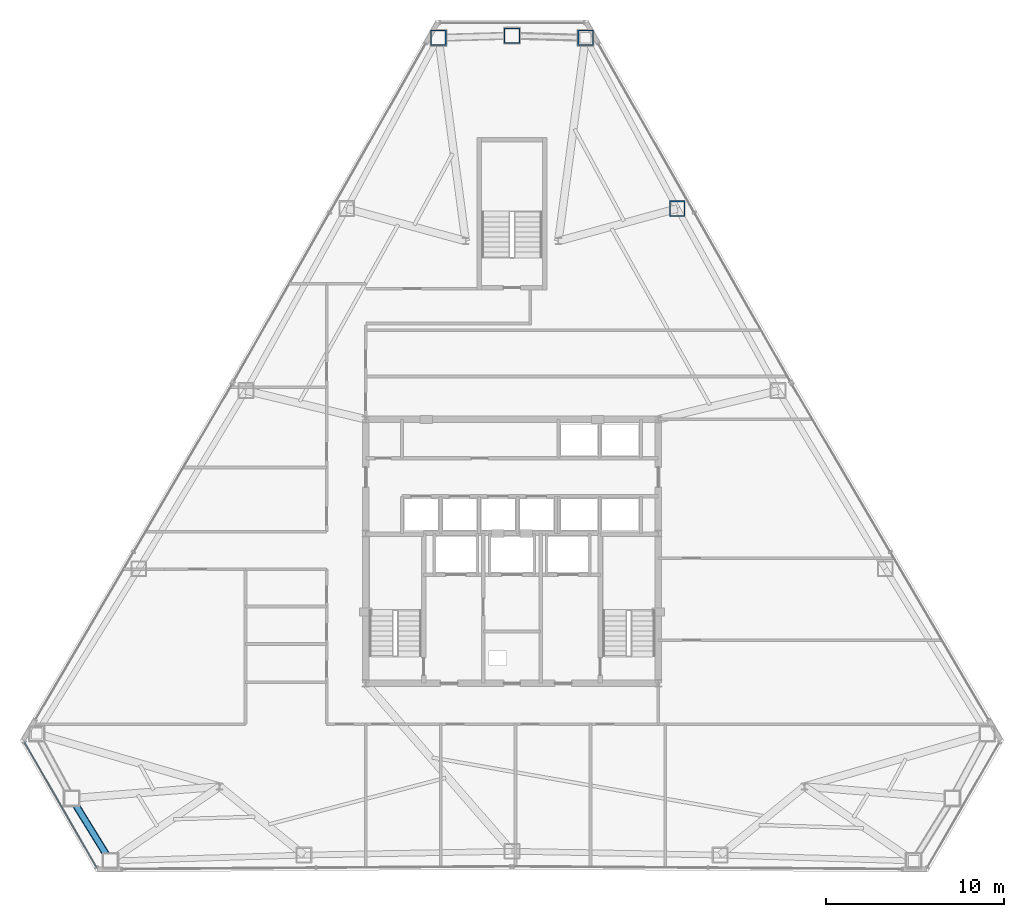
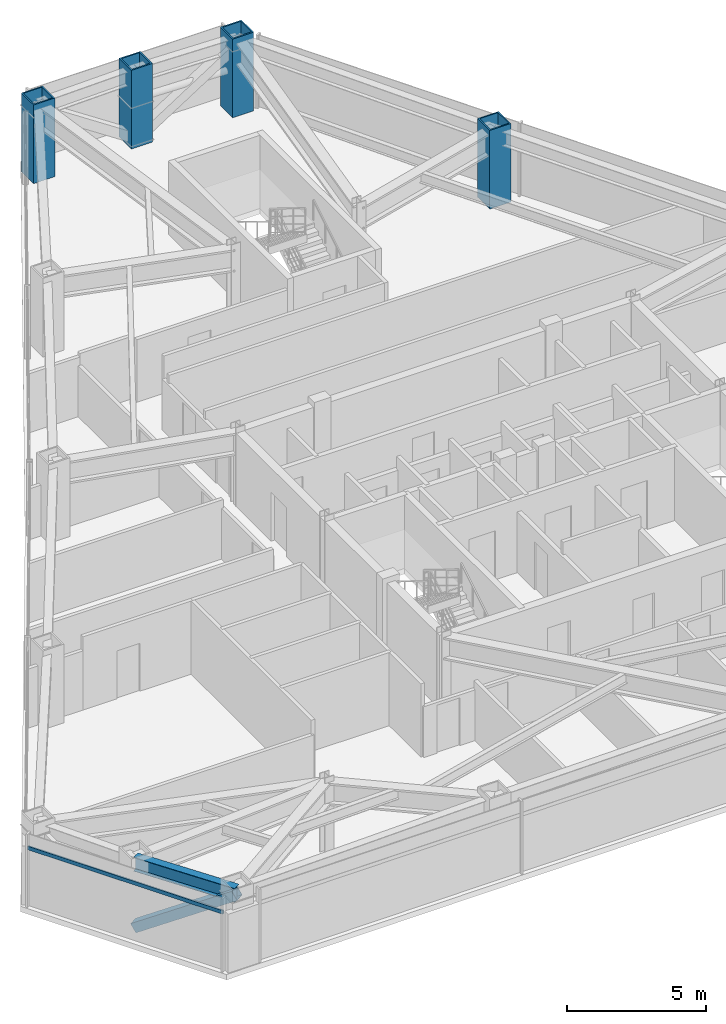
# One storey, part 3 of 13: 4 columns, 2 members, 1 beam, 1 element without a shape of its own.
"""IFC4 building model written with IfcOpenShell, lengths in metres."""

from ifc_helpers import new_model, si_unit, direction, frame, origin, origin_2d, place, context, subcontext, project, spatial, rectangle, hollow_rectangle, i_section, extrude, source, transform, mapped, material, layer, layer_set, material_profile, profile_set, type_object, type_shapes, element, aggregate, save


model = new_model("IFC4")

# Units and contexts
model_context = context("Model", 3, precision=1e-05, world=origin(), true_north=direction((0.0, 1.0)))
body_context = subcontext(model_context, "Body", "Model", "MODEL_VIEW")
ifc_project = project(units=[si_unit("LENGTHUNIT", "METRE"), si_unit("AREAUNIT", "SQUARE_METRE"), si_unit("VOLUMEUNIT", "CUBIC_METRE"), si_unit("PLANEANGLEUNIT", "RADIAN"), si_unit("MASSUNIT", "GRAM", prefix="KILO")], contexts=[model_context])

# Site, building, storey
site_placement = place(None, origin())
site = spatial("IfcSite", under=ifc_project, at=site_placement, CompositionType="ELEMENT")
building_placement = place(site_placement, origin())
building = spatial("IfcBuilding", under=site, at=building_placement, Name="Varakhsha Concourse Tower", CompositionType="ELEMENT")
storey_placement = place(building_placement, frame((0.0, 0.0, 136.699951171875)))
storey = spatial("IfcBuildingStorey", under=building, at=storey_placement, Name="L39", CompositionType="ELEMENT", Elevation=136.699951171875)

# Columns
ifc_material_1 = material(Name="Structural Steel ASTM A572 Grade 50", Category="steel")
ifc_material_profile_1 = material_profile(ifc_material_1, hollow_rectangle(XDim=0.8798828125, YDim=0.8798828125, WallThickness=0.06005859375, at=origin_2d()), Name="BOX 880x880x60")
ifc_profile_set_1 = profile_set([ifc_material_profile_1], Name="Structural Steel ASTM A572 Grade 50")
column_type = type_object("IfcColumnType", Name="CL-TUBE-880", PredefinedType="COLUMN", material=ifc_profile_set_1)
for number, where, z_axis, x_axis, name in (
    (1, (44.1259765625, 52.60009765625, 0.0), (0.0, 0.0, 1.0), (1.0, 0.0, 0.0), "L39 Framed-Tube Column TC01"),
    (2, (40.0, 52.7216796875, 0.0), (0.0, 0.0, 1.0), (1.0, 0.0, 0.0), "L39 Framed-Tube Column TC02"),
    (3, (35.8740234375, 52.60009765625, 0.0), (0.0, 0.0, 1.0), (1.0, 0.0, 0.0), "L39 Framed-Tube Column TC03"),
    (4, (49.26953125, 43.0263671875, 0.0), (0.0, 0.0, 1.0), (1.0, 0.0, 0.0), "L39 Framed-Tube Column TC18"),
):
    element("IfcColumn", number, at=place(storey_placement, frame(where, z_axis=z_axis, x_axis=x_axis)), inside=storey, type_object=column_type, Name=name, PredefinedType="COLUMN", context=body_context, shape_type="SweptSolid", body=[
        extrude(hollow_rectangle(XDim=0.8798828125, YDim=0.8798828125, WallThickness=0.06005859375, at=origin_2d()), origin(), (0.0, 0.0, 1.0), 3.449951171875),
    ])

# Beam
ifc_material_2 = material(Name="Structural Steel ASTM A992 Grade 50", Category="steel")
ifc_material_profile_2 = material_profile(ifc_material_2, i_section(OverallWidth=0.323974609375, OverallDepth=0.611083984375, WebThickness=0.012939453125, FlangeThickness=0.01904296875, at=origin_2d()), Name="W24X104")
ifc_profile_set_2 = profile_set([ifc_material_profile_2], Name="Structural Steel ASTM A992 Grade 50")
beam_type = type_object("IfcBeamType", Name="BM-SPAN-W24X104", PredefinedType="SPANDREL", material=ifc_profile_set_2)
beam_placement = place(storey_placement, frame((15.299560546875, 9.939208984375, 2.904541015625), z_axis=(0.525275019808, -0.850932519984, 0.0), x_axis=(0.850932519984, 0.525275019808, 0.0)))
element("IfcBeam", 5, at=beam_placement, inside=storey, type_object=beam_type, Name="BM-SPAN-L39-08", PredefinedType="SPANDREL", context=body_context, shape_type="SweptSolid", body=[
    extrude(i_section(OverallWidth=0.323974609375, OverallDepth=0.611083984375, WebThickness=0.012939453125, FlangeThickness=0.01904296875, at=origin_2d()), origin(), (0.0, 0.0, 1.0), 4.127685546875),
])

# Member
ifc_material_3 = material(Name="Structural Steel ASTM A500 Grade C", Category="steel")
ifc_material_profile_3 = material_profile(ifc_material_3, hollow_rectangle(XDim=0.39990234375, YDim=0.39990234375, WallThickness=0.01611328125, at=origin_2d()), Name="HSS 400x400x16")
ifc_profile_set_3 = profile_set([ifc_material_profile_3], Name="Structural Steel ASTM A500 Grade C")
member_type_1 = type_object("IfcMemberType", Name="MB-TUBE-HSS400", PredefinedType="BRACE", material=ifc_profile_set_3)
shared_shape_1 = source(origin(), body_context, "Body", "SweptSolid", [
    extrude(hollow_rectangle(XDim=0.39990234375, YDim=0.39990234375, WallThickness=0.01611328125, at=origin_2d()), origin(), (0.0, 0.0, 1.0), 4.982177734375),
])
type_shapes(member_type_1, [shared_shape_1])
member_1_placement = place(storey_placement, frame((15.299560546875, 9.939208984375, 0.1201171875), z_axis=(0.435187815597, -0.7049934808, 0.55999621176), x_axis=(0.850932519984, 0.525275019808, 0.0)))
element("IfcMember", 6, at=member_1_placement, inside=storey, type_object=member_type_1, Name="L39 Wind-Corner Tube Brace B04", PredefinedType="BRACE", context=body_context, shape_type="MappedRepresentation", body=[
    mapped(shared_shape_1, transform((0.0, 0.0, 0.0), scale=1.0)),
])

# Curtain wall, member
ifc_material_4 = material(Name="Anodised Bronze Architectural Aluminium AA 6063-T6", Category="aluminium")
ifc_layer = layer(ifc_material_4, 0.2099609375, Name="CW-SYS-04")
ifc_layer_set = layer_set([ifc_layer], Name="Anodised Bronze Architectural Aluminium AA 6063-T6")
curtain_wall_type = type_object("IfcCurtainWallType", Name="CW-SYS-04", PredefinedType="NOTDEFINED", material=ifc_layer_set)
curtain_wall_placement = place(storey_placement, origin())
curtain_wall = element("IfcCurtainWall", 7, at=curtain_wall_placement, inside=storey, type_object=curtain_wall_type, Name="L39 Chamfer Curtain Wall F4", PredefinedType="NOTDEFINED")
ifc_material_profile_4 = material_profile(ifc_material_4, rectangle(XDim=0.06494140625, YDim=0.159912109375, at=origin_2d()), Name="CWT-160X65")
ifc_profile_set_4 = profile_set([ifc_material_profile_4], Name="Anodised Bronze Architectural Aluminium AA 6063-T6")
member_type_2 = type_object("IfcMemberType", Name="CWT-160X65", PredefinedType="USERDEFINED", material=ifc_profile_set_4)
shared_shape_2 = source(origin(), body_context, "Body", "SweptSolid", [
    extrude(rectangle(XDim=0.06494140625, YDim=0.159912109375, at=origin_2d()), origin(), (0.0, 0.0, 1.0), 8.10302734375),
])
type_shapes(member_type_2, [shared_shape_2])
member_2_placement = place(storey_placement, frame((16.701904296875, 6.070556640625, 2.56005859375), z_axis=(-0.500004998822, 0.866022517694, 0.0), x_axis=(-0.866022517694, -0.500004998822, 0.0)))
member_2 = element("IfcMember", 8, at=member_2_placement, type_object=member_type_2, Name="CW-L39-F4 Transom 01", ObjectType="TRANSOM", PredefinedType="USERDEFINED", context=body_context, shape_type="MappedRepresentation", body=[
    mapped(shared_shape_2, transform((0.0, 0.0, 0.0), scale=1.0)),
])
aggregate(curtain_wall, [member_2])

save(model, "model.ifc")
